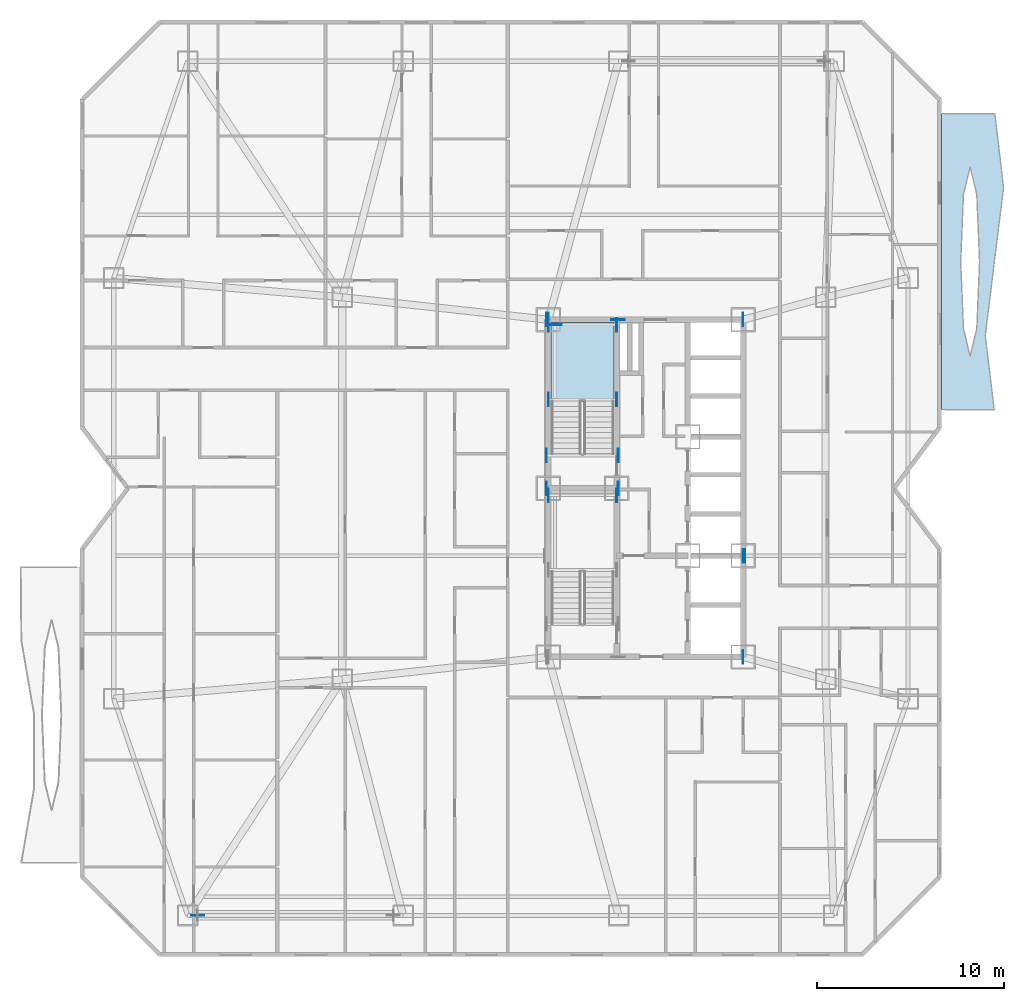
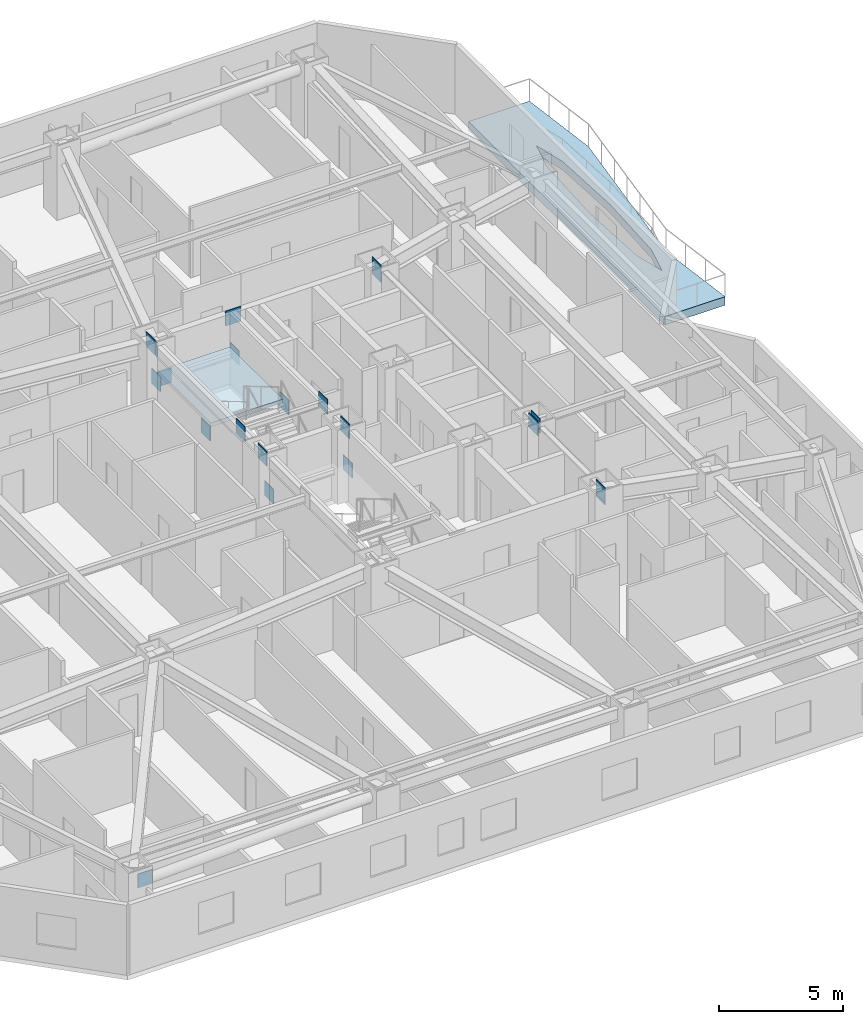
# One storey, part 4 of 16: 21 plates, 2 slabs, 1 element without a shape of its own.
"""IFC4 building model written with IfcOpenShell, lengths in metres."""

import ifcopenshell
import ifcopenshell.guid

model = None  # the IFC model being written
_history = None  # IfcOwnerHistory: only IFC2X3 demands one
_inside = {}  # id of a spatial element -> (the spatial element, [elements in it])
_under = {}  # id of a project, library or spatial element -> (it, [spatial elements below it])
_declared = {}  # id of a project -> (the project, [libraries it declares])
_typed = {}  # id of a type object -> (the type object, [elements of that type])
_made_of = {}  # id of a material, layer set ... -> (it, [elements and type objects made of it])


def new_model(schema):
    """Start an empty IFC model of exactly this schema.

    Asked for "IFC4X3", IfcOpenShell would pick the latest addendum, in which some entities
    have other attributes; the version numbers below select the first issue.
    IFC2X3 requires an IfcOwnerHistory on every rooted entity: one is made here for all.
    """
    global model, _history
    if schema == "IFC4X3":
        model = ifcopenshell.file(schema_version=(4, 3, 0, 0))
    else:
        model = ifcopenshell.file(schema=schema)
    _inside.clear()
    _under.clear()
    _declared.clear()
    _typed.clear()
    _made_of.clear()
    _history = None
    if model.schema == "IFC2X3":
        org = make("IfcOrganization", Name="unknown")
        user = make(
            "IfcPersonAndOrganization",
            ThePerson=make("IfcPerson", FamilyName="unknown"),
            TheOrganization=org,
        )
        app = make(
            "IfcApplication",
            ApplicationDeveloper=org,
            Version="unknown",
            ApplicationFullName="unknown",
            ApplicationIdentifier="unknown",
        )
        _history = make(
            "IfcOwnerHistory",
            OwningUser=user,
            OwningApplication=app,
            ChangeAction="ADDED",
            CreationDate=0,
        )
    return model


def make(cls, **values):
    """One entity of the class cls with the attributes given. An attribute that is None is left unset."""
    return model.create_entity(
        cls, **{name: value for name, value in values.items() if value is not None}
    )


def rooted(cls, **values):
    """An entity with a GlobalId (a new one), such as an element, a storey or a relation."""
    return make(cls, GlobalId=ifcopenshell.guid.new(), OwnerHistory=_history, **values)


def si_unit(unit_type, name, prefix=None):
    """IfcSIUnit, for example si_unit("LENGTHUNIT", "METRE", prefix="MILLI")."""
    return make("IfcSIUnit", UnitType=unit_type, Prefix=prefix, Name=name)


def assignment(units):
    """IfcUnitAssignment: the units of a project."""
    return None if units is None else make("IfcUnitAssignment", Units=units)


def point(xyz):
    """IfcCartesianPoint."""
    return None if xyz is None else make("IfcCartesianPoint", Coordinates=xyz)


def direction(xyz):
    """IfcDirection."""
    return None if xyz is None else make("IfcDirection", DirectionRatios=xyz)


def frame(location, z_axis=None, x_axis=None):
    """IfcAxis2Placement3D, a coordinate frame: its origin and axes. An axis left out is left unset."""
    return make(
        "IfcAxis2Placement3D",
        Location=point(location),
        Axis=direction(z_axis),
        RefDirection=direction(x_axis),
    )


def frame_2d(location, x_axis=None):
    """IfcAxis2Placement2D, a coordinate frame in the plane: its origin and x axis."""
    return make(
        "IfcAxis2Placement2D", Location=point(location), RefDirection=direction(x_axis)
    )


def origin():
    """The frame at (0, 0, 0) with its axes left unset."""
    return frame((0.0, 0.0, 0.0))


def origin_2d():
    """The frame at (0, 0) in the plane with its x axis left unset."""
    return frame_2d((0.0, 0.0))


def place(relative_to, where):
    """IfcLocalPlacement: puts the frame where relative to a parent placement (None: the world)."""
    return make(
        "IfcLocalPlacement", PlacementRelTo=relative_to, RelativePlacement=where
    )


def context(
    kind, dimensions, precision=None, world=None, true_north=None, identifier=None
):
    """IfcGeometricRepresentationContext, for example the 3D "Model" context."""
    return make(
        "IfcGeometricRepresentationContext",
        ContextIdentifier=identifier,
        ContextType=kind,
        CoordinateSpaceDimension=dimensions,
        Precision=precision,
        WorldCoordinateSystem=world,
        TrueNorth=true_north,
    )


def subcontext(parent, identifier, kind, view, scale=None):
    """IfcGeometricRepresentationSubContext, for example "Body" below "Model"."""
    return make(
        "IfcGeometricRepresentationSubContext",
        ContextIdentifier=identifier,
        ContextType=kind,
        ParentContext=parent,
        TargetScale=scale,
        TargetView=view,
    )


def project(units=None, contexts=None):
    """IfcProject with its units and contexts."""
    return rooted(
        "IfcProject",
        Name="project",
        RepresentationContexts=contexts,
        UnitsInContext=assignment(units),
    )


def spatial(cls, under=None, at=None, **own):
    """A site, building, storey or space (cls), placed at a placement, below another one or the project."""
    s = rooted(cls, ObjectPlacement=at, **own)
    if under is not None:
        _under.setdefault(under.id(), (under, []))[1].append(s)
    return s


def polyline(points):
    """IfcPolyline through the points."""
    return make("IfcPolyline", Points=[point(p) for p in points])


def profile(cls, at=None, kind="AREA", **sizes):
    """A parametric profile (cls). Its sizes go by their IFC names, for example OverallWidth=200.0."""
    return make(cls, ProfileType=kind, Position=at, **sizes)


def rectangle(**sizes):
    """IfcRectangleProfileDef."""
    return profile("IfcRectangleProfileDef", **sizes)


def outline(outer, holes=None, kind="AREA"):
    """IfcArbitraryClosedProfileDef: a profile drawn as a closed curve; with holes, ...WithVoids."""
    if holes is None:
        return make("IfcArbitraryClosedProfileDef", ProfileType=kind, OuterCurve=outer)
    return make(
        "IfcArbitraryProfileDefWithVoids",
        ProfileType=kind,
        OuterCurve=outer,
        InnerCurves=holes,
    )


def extrude(swept, where, along, depth):
    """IfcExtrudedAreaSolid: the profile swept, set in the frame where, extruded along a direction by depth."""
    return make(
        "IfcExtrudedAreaSolid",
        SweptArea=swept,
        Position=where,
        ExtrudedDirection=direction(along),
        Depth=depth,
    )


def shape(context_of_items, identifier, shape_type, items):
    """IfcShapeRepresentation: the items that make up one representation, for example the "Body"."""
    return make(
        "IfcShapeRepresentation",
        ContextOfItems=context_of_items,
        RepresentationIdentifier=identifier,
        RepresentationType=shape_type,
        Items=items,
    )


def material(Name=None, Category=None):
    """IfcMaterial."""
    return make("IfcMaterial", Name=Name, Category=Category)


def layer(
    of_material, thickness, ventilated=None, Name=None, Category=None, Priority=None
):
    """IfcMaterialLayer: one layer of a wall or slab, of a material (None: an air gap)."""
    return make(
        "IfcMaterialLayer",
        Material=of_material,
        LayerThickness=thickness,
        IsVentilated=ventilated,
        Name=Name,
        Category=Category,
        Priority=Priority,
    )


def layer_set(layers, Name=None):
    """IfcMaterialLayerSet."""
    return make("IfcMaterialLayerSet", MaterialLayers=layers, LayerSetName=Name)


def made_of(thing, what):
    """Note that an element or type object is made of a material, layer set ...; save() writes the relation."""
    if what is not None:
        _made_of.setdefault(what.id(), (what, []))[1].append(thing)
    return thing


def type_object(cls, material=None, **own):
    """A type object (cls), such as IfcWallType, which elements share."""
    return made_of(rooted(cls, **own), material)


def element(
    cls,
    number,
    at=None,
    inside=None,
    cuts=None,
    type_object=None,
    material=None,
    context=None,
    identifier="Body",
    shape_type=None,
    held_by="IfcProductDefinitionShape",
    body=None,
    shapes=None,
    **own,
):
    """One element of the class cls, such as IfcWall. Its Tag is "e" and its number.

    at: its placement. inside: the storey or other place that contains it. cuts: it is an
    opening in that element (IfcRelVoidsElement). A single representation is given by context,
    identifier, shape_type and body (its items); several are given by shapes. held_by: the class
    of the entity that holds the representations. save() writes the other relations.
    """
    e = rooted(cls, Tag="e%d" % number, ObjectPlacement=at, **own)
    if body is not None:
        shapes = [shape(context, identifier, shape_type, body)]
    if shapes is not None:
        e.Representation = make(held_by, Representations=shapes)
    if inside is not None:
        _inside.setdefault(inside.id(), (inside, []))[1].append(e)
    if cuts is not None:
        rooted(
            "IfcRelVoidsElement", RelatingBuildingElement=cuts, RelatedOpeningElement=e
        )
    if type_object is not None:
        _typed.setdefault(type_object.id(), (type_object, []))[1].append(e)
    return made_of(e, material)


def aggregate(whole, parts):
    """IfcRelAggregates: a whole, such as a stair, and the parts it consists of."""
    return rooted("IfcRelAggregates", RelatingObject=whole, RelatedObjects=parts)


def save(model, path):
    """Write the relations noted so far, then the file.

    IfcRelAggregates (storeys below a building ...), IfcRelContainedInSpatialStructure (elements
    in a storey), IfcRelDefinesByType, IfcRelAssociatesMaterial and IfcRelDeclares: one each for
    every whole, place, type object, material and project.
    """
    for whole, parts in _under.values():
        aggregate(whole, parts)
    for where, things in _inside.values():
        rooted(
            "IfcRelContainedInSpatialStructure",
            RelatedElements=things,
            RelatingStructure=where,
        )
    for kind, things in _typed.values():
        rooted("IfcRelDefinesByType", RelatedObjects=things, RelatingType=kind)
    for what, things in _made_of.values():
        rooted("IfcRelAssociatesMaterial", RelatedObjects=things, RelatingMaterial=what)
    for by, libraries in _declared.values():
        rooted("IfcRelDeclares", RelatingContext=by, RelatedDefinitions=libraries)
    model.write(path)


model = new_model("IFC4")

# Units and contexts
model_context = context("Model", 3, precision=1e-05, world=origin(), true_north=direction((0.0, 1.0)))
body_context = subcontext(model_context, "Body", "Model", "MODEL_VIEW")
ifc_project = project(units=[si_unit("LENGTHUNIT", "METRE"), si_unit("AREAUNIT", "SQUARE_METRE"), si_unit("VOLUMEUNIT", "CUBIC_METRE"), si_unit("PLANEANGLEUNIT", "RADIAN"), si_unit("MASSUNIT", "GRAM", prefix="KILO")], contexts=[model_context])

# Site, building, storey
site_placement = place(None, origin())
site = spatial("IfcSite", under=ifc_project, at=site_placement, CompositionType="ELEMENT")
building_placement = place(site_placement, origin())
building = spatial("IfcBuilding", under=site, at=building_placement, Name="Khamvora Tower", CompositionType="ELEMENT")
storey_placement = place(building_placement, frame((0.0, 0.0, 66.14990234375)))
storey = spatial("IfcBuildingStorey", under=building, at=storey_placement, Name="L16", CompositionType="ELEMENT", Elevation=66.14990234375)

# Plates
ifc_material_1 = material(Name="Steel S460", Category="steel")
ifc_layer_1 = layer(ifc_material_1, 0.034912109375)
ifc_layer_set_1 = layer_set([ifc_layer_1], Name="Steel S460")
plate_type_1 = type_object("IfcPlateType", Name="PL-EMB-35", PredefinedType="SHEET", material=ifc_layer_set_1)
for number, where, z_axis, x_axis, name in (
    (1, (29.0, 27.6298828125, 1.13427734375), (0.0, 0.0, 1.0), (1.0, 0.0, 0.0), "L16 core shear wall cast-in embed plate 0480"),
    (2, (32.64990234375, 27.6298828125, 1.13427734375), (0.0, 0.0, 1.0), (1.0, 0.0, 0.0), "L16 core shear wall cast-in embed plate 0481"),
    (3, (29.0, 32.735107421875, 1.13427734375), (0.0, 0.0, 1.0), (1.0, 0.0, 0.0), "L16 core shear wall cast-in embed plate 0482"),
    (4, (32.64990234375, 32.735107421875, 1.13427734375), (0.0, 0.0, 1.0), (1.0, 0.0, 0.0), "L16 core shear wall cast-in embed plate 0483"),
    (5, (29.0, 36.72998046875, 1.13427734375), (0.0, 0.0, 1.0), (1.0, 0.0, 0.0), "L16 core shear wall cast-in embed plate 0484"),
    (6, (32.64990234375, 36.72998046875, 1.13427734375), (0.0, 0.0, 1.0), (1.0, 0.0, 0.0), "L16 core shear wall cast-in embed plate 0485"),
):
    element("IfcPlate", number, at=place(storey_placement, frame(where, z_axis=z_axis, x_axis=x_axis)), inside=storey, type_object=plate_type_1, Name=name, PredefinedType="SHEET", context=body_context, shape_type="SweptSolid", body=[
        extrude(rectangle(XDim=0.034912109375, YDim=0.719970703125, at=origin_2d()), origin(), (0.0, 0.0, 1.0), 0.719970703125),
    ])
plate_1_placement = place(storey_placement, frame((29.35009765625, 36.72998046875, 1.13427734375), z_axis=(0.0, 0.0, 1.0), x_axis=(1.0, 0.0, 0.0)))
element("IfcPlate", 7, at=plate_1_placement, inside=storey, type_object=plate_type_1, Name="L16 core shear wall cast-in embed plate 0486", PredefinedType="SHEET", context=body_context, shape_type="SweptSolid", body=[
    extrude(rectangle(XDim=0.719970703125, YDim=0.034912109375, at=origin_2d()), origin(), (0.0, 0.0, 1.0), 0.719970703125),
])
for number, where, z_axis, x_axis, name in (
    (8, (29.0, 37.0, 2.68408203125), (0.0, 0.0, 1.0), (1.0, 0.0, 0.0), "L16 core shear wall cast-in embed plate 0488"),
    (9, (39.39990234375, 19.0, 2.68408203125), (0.0, 0.0, 1.0), (1.0, 0.0, 0.0), "L16 core shear wall cast-in embed plate 0489"),
    (10, (39.39990234375, 37.0, 2.68408203125), (0.0, 0.0, 1.0), (1.0, 0.0, 0.0), "L16 core shear wall cast-in embed plate 0490"),
    (11, (28.89990234375, 28.0, 2.80419921875), (0.0, 0.0, 1.0), (1.0, 0.0, 0.0), "L16 core shear wall cast-in embed plate 0492"),
    (12, (28.89990234375, 37.0, 2.80419921875), (0.0, 0.0, 1.0), (1.0, 0.0, 0.0), "L16 core shear wall cast-in embed plate 0493"),
    (13, (32.72998046875, 28.0, 2.80419921875), (0.0, 0.0, 1.0), (1.0, 0.0, 0.0), "L16 core shear wall cast-in embed plate 0495"),
):
    element("IfcPlate", number, at=place(storey_placement, frame(where, z_axis=z_axis, x_axis=x_axis)), inside=storey, type_object=plate_type_1, Name=name, PredefinedType="SHEET", context=body_context, shape_type="SweptSolid", body=[
        extrude(rectangle(XDim=0.034912109375, YDim=0.719970703125, at=origin_2d()), origin(), (0.0, 0.0, 1.0), 0.719970703125),
    ])
plate_2_placement = place(storey_placement, frame((32.72998046875, 37.0, 2.80419921875), z_axis=(0.0, 0.0, 1.0), x_axis=(1.0, 0.0, 0.0)))
element("IfcPlate", 14, at=plate_2_placement, inside=storey, type_object=plate_type_1, Name="L16 core shear wall cast-in embed plate 0496", PredefinedType="SHEET", context=body_context, shape_type="SweptSolid", body=[
    extrude(rectangle(XDim=0.719970703125, YDim=0.034912109375, at=origin_2d()), origin(), (0.0, 0.0, 1.0), 0.719970703125),
])
for number, where, z_axis, x_axis, name in (
    (15, (39.39990234375, 19.0, 2.80419921875), (0.0, 0.0, 1.0), (1.0, 0.0, 0.0), "L16 core shear wall cast-in embed plate 0497"),
    (16, (39.39990234375, 24.39990234375, 2.80419921875), (0.0, 0.0, 1.0), (1.0, 0.0, 0.0), "L16 core shear wall cast-in embed plate 0498"),
    (17, (39.39990234375, 37.0, 2.80419921875), (0.0, 0.0, 1.0), (1.0, 0.0, 0.0), "L16 core shear wall cast-in embed plate 0499"),
    (18, (28.89990234375, 29.75, 2.9443359375), (0.0, 0.0, 1.0), (1.0, 0.0, 0.0), "L16 core shear wall cast-in embed plate 0502"),
    (19, (32.72998046875, 29.75, 2.9443359375), (0.0, 0.0, 1.0), (1.0, 0.0, 0.0), "L16 core shear wall cast-in embed plate 0503"),
    (20, (39.4990234375, 24.39990234375, 2.89306640625), (0.0, 0.0, 1.0), (1.0, 0.0, 0.0), "L16 core shear wall cast-in embed plate 0505"),
):
    element("IfcPlate", number, at=place(storey_placement, frame(where, z_axis=z_axis, x_axis=x_axis)), inside=storey, type_object=plate_type_1, Name=name, PredefinedType="SHEET", context=body_context, shape_type="SweptSolid", body=[
        extrude(rectangle(XDim=0.034912109375, YDim=0.719970703125, at=origin_2d()), origin(), (0.0, 0.0, 1.0), 0.719970703125),
    ])
ifc_layer_2 = layer(ifc_material_1, 0.0400390625)
ifc_layer_set_2 = layer_set([ifc_layer_2], Name="Steel S460")
plate_type_2 = type_object("IfcPlateType", Name="PLT-GUS-40", PredefinedType="SHEET", material=ifc_layer_set_2)
plate_3_placement = place(storey_placement, frame((10.280029296875, 5.199951171875, 2.3603515625), z_axis=(0.0, 0.0, 1.0), x_axis=(1.0, 0.0, 0.0)))
element("IfcPlate", 21, at=plate_3_placement, inside=storey, type_object=plate_type_2, Name="L16 brace connection node gusset plate 0109", PredefinedType="SHEET", context=body_context, shape_type="SweptSolid", body=[
    extrude(rectangle(XDim=0.679931640625, YDim=0.0400390625, at=origin_2d()), origin(), (0.0, 0.0, 1.0), 0.679931640625),
])

# Slab
ifc_material_2 = material(Name="Concrete C40/50", Category="concrete")
ifc_layer_3 = layer(ifc_material_2, 0.419921875)
ifc_layer_set_3 = layer_set([ifc_layer_3], Name="Concrete C40/50")
slab_type_1 = type_object("IfcSlabType", Name="SLB-GRD-420", PredefinedType="FLOOR", material=ifc_layer_set_3)
slab_1_placement = place(storey_placement, frame((0.0, 0.0, -0.419921875)))
element("IfcSlab", 22, at=slab_1_placement, inside=storey, type_object=slab_type_1, Name="L16 external lens gallery slab EL2", PredefinedType="FLOOR", context=body_context, shape_type="SweptSolid", body=[
    extrude(outline(polyline([(52.798095703125, 32.199951171875), (52.324951171875, 36.14990234375), (52.80810546875, 40.10009765625), (53.300048828125, 44.050048828125), (52.8369140625, 48.0), (50.0, 48.0), (50.0, 32.199951171875), (52.798095703125, 32.199951171875)]), holes=[polyline([(52.01904296875, 40.10009765625), (51.87109375, 43.675048828125), (51.514892578125, 45.156005859375), (51.158935546875, 43.675048828125), (51.010986328125, 40.10009765625), (51.158935546875, 36.52490234375), (51.514892578125, 35.0439453125), (51.87109375, 36.52490234375), (52.01904296875, 40.10009765625)])]), origin(), (0.0, 0.0, 1.0), 0.419921875),
])

# Stair, slab
stair_type = type_object("IfcStairType", Name="STR-ST-02", PredefinedType="HALF_TURN_STAIR", material=ifc_material_2)
stair_placement = place(storey_placement, origin())
stair = element("IfcStair", 23, at=stair_placement, inside=storey, type_object=stair_type, Name="L16 North Tower Exit Stair ST-02", PredefinedType="HALF_TURN_STAIR")
ifc_layer_4 = layer(ifc_material_2, 0.199951171875)
ifc_layer_set_4 = layer_set([ifc_layer_4], Name="Concrete C40/50")
slab_type_2 = type_object("IfcSlabType", Name="SLB-LND-200", PredefinedType="LANDING", material=ifc_layer_set_4)
slab_2_placement = place(storey_placement, frame((0.0, 0.0, 1.625)))
slab_2 = element("IfcSlab", 24, at=slab_2_placement, type_object=slab_type_2, Name="ST-02 landing 1", PredefinedType="LANDING", context=body_context, shape_type="SweptSolid", body=[
    extrude(outline(polyline([(32.5, 32.614990234375), (32.5, 36.85009765625), (29.14990234375, 36.85009765625), (29.14990234375, 32.614990234375), (32.5, 32.614990234375)])), origin(), (0.0, 0.0, 1.0), 0.2001953125),
])
aggregate(stair, [slab_2])

save(model, "model.ifc")
